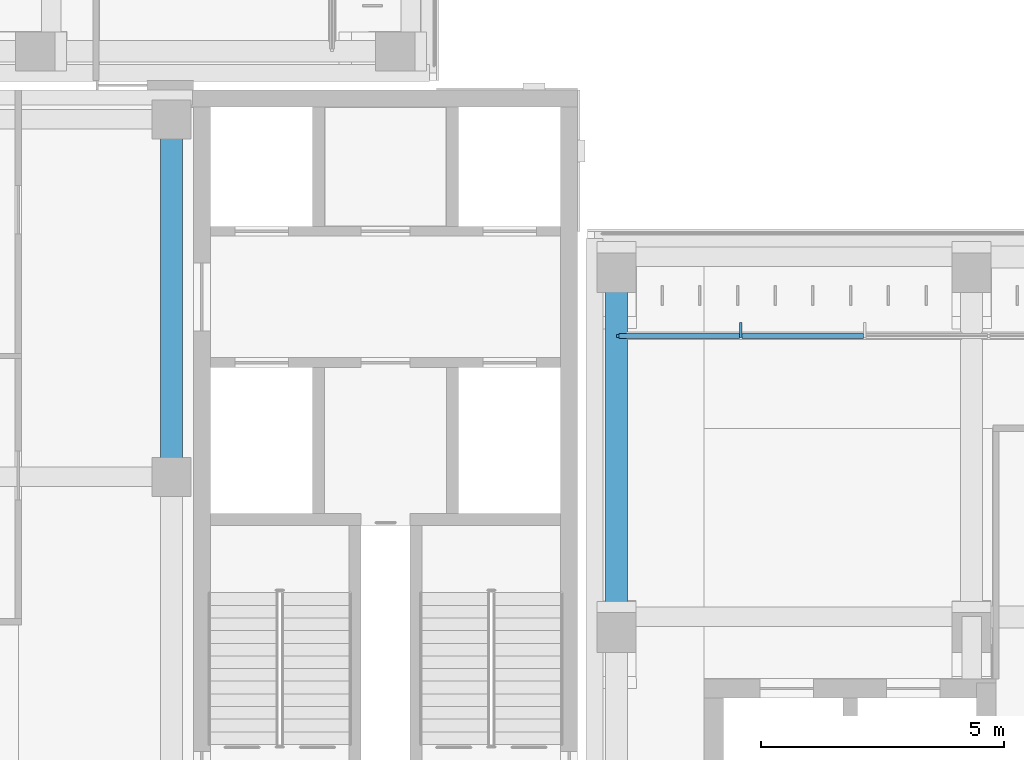
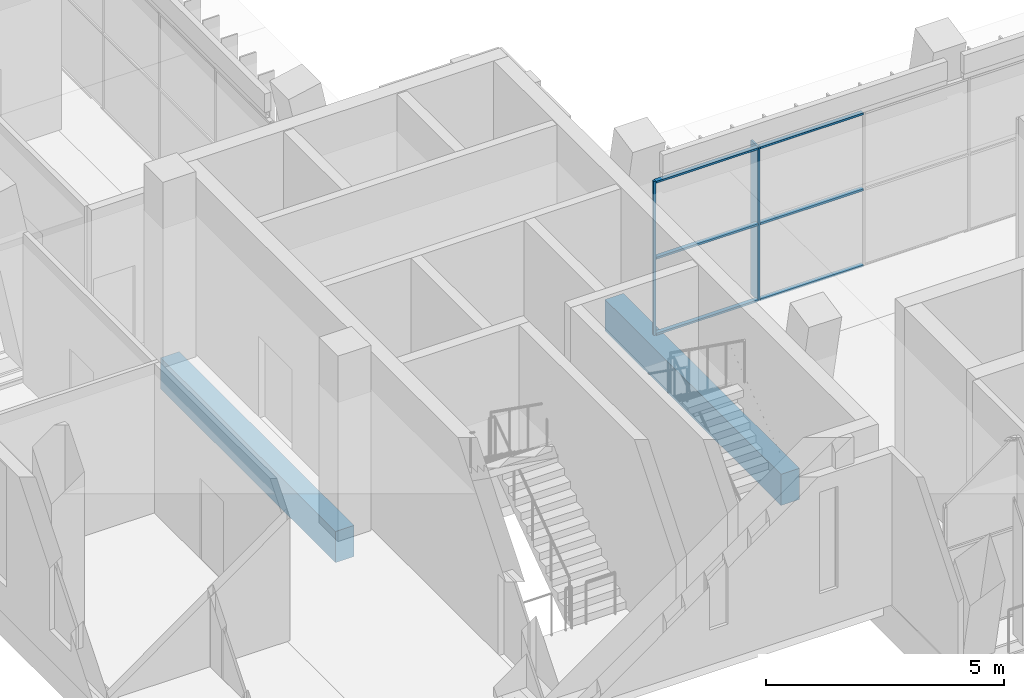
# One storey, part 12 of 89: 8 members, 2 beams, 1 element without a shape of its own.
"""IFC4 building model written with IfcOpenShell, lengths in metres."""

from ifc_helpers import new_model, si_unit, direction, frame, origin, origin_2d, place, context, subcontext, project, spatial, rectangle, extrude, material, material_profile, profile_set, type_object, element, aggregate, save


model = new_model("IFC4")

# Units and contexts
model_context = context("Model", 3, precision=1e-05, world=origin(), true_north=direction((0.0, 1.0)))
body_context = subcontext(model_context, "Body", "Model", "MODEL_VIEW")
ifc_project = project(units=[si_unit("LENGTHUNIT", "METRE"), si_unit("AREAUNIT", "SQUARE_METRE"), si_unit("VOLUMEUNIT", "CUBIC_METRE"), si_unit("PLANEANGLEUNIT", "RADIAN"), si_unit("MASSUNIT", "GRAM", prefix="KILO")], contexts=[model_context])

# Site, building, storey
site_placement = place(None, origin())
site = spatial("IfcSite", under=ifc_project, at=site_placement, CompositionType="ELEMENT")
building_placement = place(site_placement, origin())
building = spatial("IfcBuilding", under=site, at=building_placement, Name="Lantern Court Media Centre", CompositionType="ELEMENT")
storey_placement = place(building_placement, frame((0.0, 0.0, 14.39990234375)))
storey = spatial("IfcBuildingStorey", under=building, at=storey_placement, Name="L03", CompositionType="ELEMENT", Elevation=14.39990234375)

# Curtain wall, members
ifc_material_1 = material(Name="Curtain wall bay 2400")
curtain_wall_type = type_object("IfcCurtainWallType", Name="Curtain wall bay 2400", PredefinedType="NOTDEFINED", material=ifc_material_1)
curtain_wall_placement = place(storey_placement, origin())
curtain_wall = element("IfcCurtainWall", 1, at=curtain_wall_placement, inside=storey, type_object=curtain_wall_type, Name="Curtain wall S inner L03", PredefinedType="NOTDEFINED")
ifc_material_2 = material(Name="Anodised aluminium", Category="aluminium")
ifc_material_profile_1 = material_profile(ifc_material_2, rectangle(XDim=0.300048828125, YDim=0.050048828125, at=origin_2d()), Name="AL 50x300")
ifc_profile_set_1 = profile_set([ifc_material_profile_1], Name="Anodised aluminium")
member_type_1 = type_object("IfcMemberType", Name="Curtain wall mullion 50x300", PredefinedType="MULLION", material=ifc_profile_set_1)
member_1_placement = place(storey_placement, frame((27.25, 58.969970703125, 0.0), z_axis=(0.0, 0.0, 1.0), x_axis=(0.0, 1.0, 0.0)))
member_1 = element("IfcMember", 2, at=member_1_placement, type_object=member_type_1, Name="CW2 mullion 2", PredefinedType="MULLION", context=body_context, shape_type="SweptSolid", body=[
    extrude(rectangle(XDim=0.300048828125, YDim=0.050048828125, at=origin_2d()), origin(), (0.0, 0.0, 1.0), 3.9501953125),
])
ifc_material_profile_2 = material_profile(ifc_material_2, rectangle(XDim=0.06005859375, YDim=0.050048828125, at=origin_2d()), Name="AL 50x60")
ifc_profile_set_2 = profile_set([ifc_material_profile_2], Name="Anodised aluminium")
member_type_2 = type_object("IfcMemberType", Name="Curtain wall mullion 50x60", PredefinedType="MULLION", material=ifc_profile_set_2)
member_2_placement = place(storey_placement, frame((24.72509765625, 58.85009765625, 0.0), z_axis=(0.0, 0.0, 1.0), x_axis=(0.0, 1.0, 0.0)))
member_2 = element("IfcMember", 3, at=member_2_placement, type_object=member_type_2, Name="CW2 mullion 1", PredefinedType="MULLION", context=body_context, shape_type="SweptSolid", body=[
    extrude(rectangle(XDim=0.06005859375, YDim=0.050048828125, at=origin_2d()), origin(), (0.0, 0.0, 1.0), 3.9501953125),
])
ifc_material_profile_3 = material_profile(ifc_material_2, rectangle(XDim=0.10009765625, YDim=0.050048828125, at=origin_2d()), Name="AL 50x100")
ifc_profile_set_3 = profile_set([ifc_material_profile_3], Name="Anodised aluminium")
member_type_3 = type_object("IfcMemberType", Name="Curtain wall transom 100x50", PredefinedType="USERDEFINED", material=ifc_profile_set_3)
member_3_placement = place(storey_placement, frame((24.75, 58.85009765625, 0.025146484375), z_axis=(1.0, 0.0, 0.0), x_axis=(0.0, 1.0, 0.0)))
member_3 = element("IfcMember", 4, at=member_3_placement, type_object=member_type_3, Name="CW2 transom 1.1", ObjectType="TRANSOM", PredefinedType="USERDEFINED", context=body_context, shape_type="SweptSolid", body=[
    extrude(rectangle(XDim=0.10009765625, YDim=0.050048828125, at=origin_2d()), origin(), (0.0, 0.0, 1.0), 2.47509765625),
])
member_4_placement = place(storey_placement, frame((24.75, 58.85009765625, 1.97509765625), z_axis=(1.0, 0.0, 0.0), x_axis=(0.0, 1.0, 0.0)))
member_4 = element("IfcMember", 5, at=member_4_placement, type_object=member_type_3, Name="CW2 transom 1.2", ObjectType="TRANSOM", PredefinedType="USERDEFINED", context=body_context, shape_type="SweptSolid", body=[
    extrude(rectangle(XDim=0.10009765625, YDim=0.050048828125, at=origin_2d()), origin(), (0.0, 0.0, 1.0), 2.47509765625),
])
member_5_placement = place(storey_placement, frame((24.75, 58.85009765625, 3.925048828125), z_axis=(1.0, 0.0, 0.0), x_axis=(0.0, 1.0, 0.0)))
member_5 = element("IfcMember", 6, at=member_5_placement, type_object=member_type_3, Name="CW2 transom 1.3", ObjectType="TRANSOM", PredefinedType="USERDEFINED", context=body_context, shape_type="SweptSolid", body=[
    extrude(rectangle(XDim=0.10009765625, YDim=0.050048828125, at=origin_2d()), origin(), (0.0, 0.0, 1.0), 2.47509765625),
])
member_6_placement = place(storey_placement, frame((27.27490234375, 58.85009765625, 0.025146484375), z_axis=(1.0, 0.0, 0.0), x_axis=(0.0, 1.0, 0.0)))
member_6 = element("IfcMember", 7, at=member_6_placement, type_object=member_type_3, Name="CW2 transom 2.1", ObjectType="TRANSOM", PredefinedType="USERDEFINED", context=body_context, shape_type="SweptSolid", body=[
    extrude(rectangle(XDim=0.10009765625, YDim=0.050048828125, at=origin_2d()), origin(), (0.0, 0.0, 1.0), 2.5),
])
member_7_placement = place(storey_placement, frame((27.27490234375, 58.85009765625, 1.97509765625), z_axis=(1.0, 0.0, 0.0), x_axis=(0.0, 1.0, 0.0)))
member_7 = element("IfcMember", 8, at=member_7_placement, type_object=member_type_3, Name="CW2 transom 2.2", ObjectType="TRANSOM", PredefinedType="USERDEFINED", context=body_context, shape_type="SweptSolid", body=[
    extrude(rectangle(XDim=0.10009765625, YDim=0.050048828125, at=origin_2d()), origin(), (0.0, 0.0, 1.0), 2.5),
])
member_8_placement = place(storey_placement, frame((27.27490234375, 58.85009765625, 3.925048828125), z_axis=(1.0, 0.0, 0.0), x_axis=(0.0, 1.0, 0.0)))
member_8 = element("IfcMember", 9, at=member_8_placement, type_object=member_type_3, Name="CW2 transom 2.3", ObjectType="TRANSOM", PredefinedType="USERDEFINED", context=body_context, shape_type="SweptSolid", body=[
    extrude(rectangle(XDim=0.10009765625, YDim=0.050048828125, at=origin_2d()), origin(), (0.0, 0.0, 1.0), 2.5),
])
aggregate(curtain_wall, [member_2, member_1, member_3, member_4, member_5, member_6, member_7, member_8])

# Beams
ifc_material_3 = material(Name="Concrete C35", Category="concrete")
ifc_material_profile_4 = material_profile(ifc_material_3, rectangle(XDim=0.449951171875, YDim=0.800048828125, at=origin_2d()), Name="RC 450x800")
ifc_profile_set_4 = profile_set([ifc_material_profile_4], Name="Concrete C35")
beam_type = type_object("IfcBeamType", Name="RC BEAM 450x800", PredefinedType="BEAM", material=ifc_profile_set_4)
beam_1_placement = place(storey_placement, frame((15.550048828125, 55.949951171875, -0.39990234375), z_axis=(0.0, 1.0, 0.0), x_axis=(-1.0, 0.0, 0.0)))
element("IfcBeam", 10, at=beam_1_placement, inside=storey, type_object=beam_type, Name="BB-SW-L03-X1-15", PredefinedType="BEAM", context=body_context, shape_type="SweptSolid", body=[
    extrude(rectangle(XDim=0.449951171875, YDim=0.800048828125, at=origin_2d()), origin(), (0.0, 0.0, 1.0), 7.35009765625),
])
beam_2_placement = place(storey_placement, frame((24.699951171875, 53.083251953125, -0.39990234375), z_axis=(0.0, 1.0, 0.0), x_axis=(-1.0, 0.0, 0.0)))
element("IfcBeam", 11, at=beam_2_placement, inside=storey, type_object=beam_type, Name="TB-S-L03-0-2", PredefinedType="BEAM", context=body_context, shape_type="SweptSolid", body=[
    extrude(rectangle(XDim=0.449951171875, YDim=0.800048828125, at=origin_2d()), origin(), (0.0, 0.0, 1.0), 7.400146484375),
])

save(model, "model.ifc")
